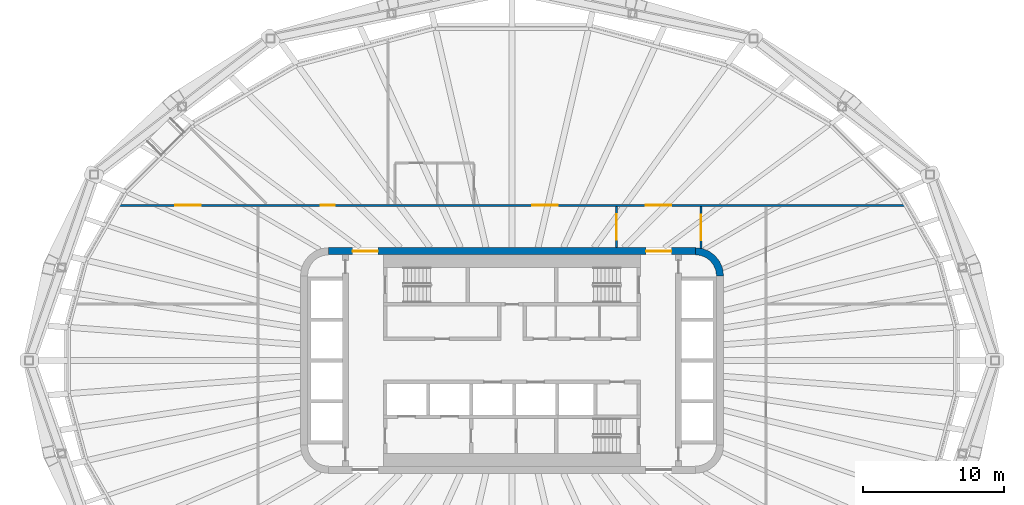
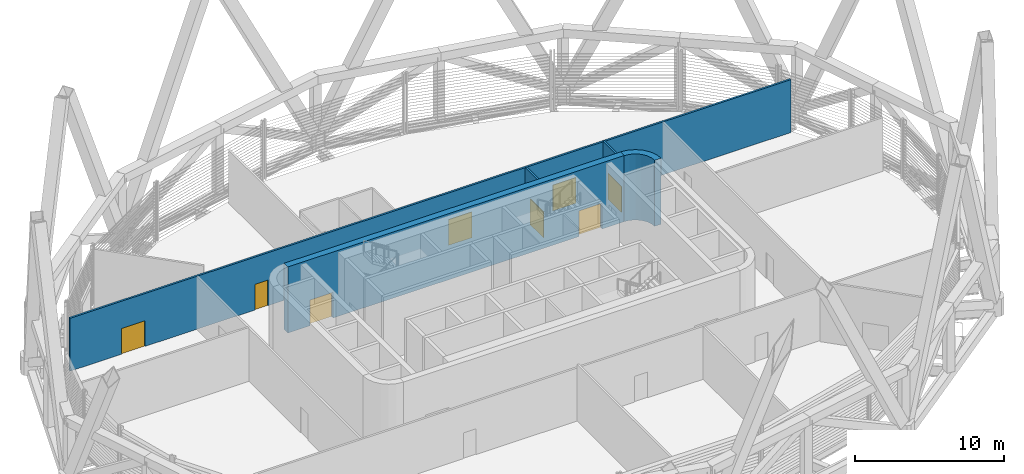
# One storey, part 8 of 18: 8 doors, 5 walls, 8 openings.
"""IFC4 building model written with IfcOpenShell, lengths in metres."""

from ifc_helpers import new_model, si_unit, direction, frame, frame_2d, origin, place, context, subcontext, project, spatial, polyline, rectangle, outline, extrude, material, layer, layer_set, type_object, element, fill, save


model = new_model("IFC4")

# Units and contexts
model_context = context("Model", 3, precision=1e-05, world=origin(), true_north=direction((0.0, 1.0)))
body_context = subcontext(model_context, "Body", "Model", "MODEL_VIEW")
ifc_project = project(units=[si_unit("LENGTHUNIT", "METRE"), si_unit("AREAUNIT", "SQUARE_METRE"), si_unit("VOLUMEUNIT", "CUBIC_METRE"), si_unit("PLANEANGLEUNIT", "RADIAN"), si_unit("MASSUNIT", "GRAM", prefix="KILO")], contexts=[model_context])

# Site, building, storey
site_placement = place(None, origin())
site = spatial("IfcSite", under=ifc_project, at=site_placement, CompositionType="ELEMENT")
building_placement = place(site_placement, origin())
building = spatial("IfcBuilding", under=site, at=building_placement, Name="Sahrelin Media Tower", CompositionType="ELEMENT")
storey_placement = place(building_placement, frame((0.0, 0.0, 148.199951171875)))
storey = spatial("IfcBuildingStorey", under=building, at=storey_placement, Name="L30", CompositionType="ELEMENT", Elevation=148.199951171875)

# Wall, openings, doors
ifc_material_1 = material(Name="Concrete C60/75", Category="concrete")
ifc_layer_1 = layer(ifc_material_1, 0.5)
ifc_layer_set_1 = layer_set([ifc_layer_1], Name="Core wall 500")
wall_type_1 = type_object("IfcWallType", Name="Core wall 500", PredefinedType="SHEAR", material=ifc_layer_set_1)
wall_1_placement = place(storey_placement, frame((-13.0, 7.75, 0.0), z_axis=(0.0, 0.0, 1.0), x_axis=(1.0, 0.0, 0.0)))
wall_1 = element("IfcWall", 1, at=wall_1_placement, inside=storey, type_object=wall_type_1, Name="Core wall N L30", PredefinedType="SHEAR", context=body_context, shape_type="SweptSolid", body=[
    extrude(rectangle(XDim=26.0, YDim=0.5, at=frame_2d((13.0, 0.0))), origin(), (0.0, 0.0, 1.0), 5.400146484375),
])
opening_1_placement = place(wall_1_placement, frame((1.699951171875, 0.0, 0.0)))
opening_1 = element("IfcOpeningElement", 2, at=opening_1_placement, cuts=wall_1, Name="Opening L30-D17", PredefinedType="OPENING", context=body_context, shape_type="SweptSolid", body=[
    extrude(rectangle(XDim=1.800048828125, YDim=2.10009765625, at=frame_2d((0.89990234375, 1.050048828125))), frame((0.0, 0.25, 0.0), z_axis=(0.0, -1.0, 0.0), x_axis=(1.0, 0.0, 0.0)), (0.0, 0.0, 1.0), 0.5),
])
opening_2_placement = place(wall_1_placement, frame((22.5, 0.0, 0.0)))
opening_2 = element("IfcOpeningElement", 3, at=opening_2_placement, cuts=wall_1, Name="Opening L30-D18", PredefinedType="OPENING", context=body_context, shape_type="SweptSolid", body=[
    extrude(rectangle(XDim=1.800048828125, YDim=2.10009765625, at=frame_2d((0.89990234375, 1.050048828125))), frame((0.0, 0.25, 0.0), z_axis=(0.0, -1.0, 0.0), x_axis=(1.0, 0.0, 0.0)), (0.0, 0.0, 1.0), 0.5),
])
ifc_material_2 = material(Name="Steel fire door leaf", Category="steel")
door_type_1 = type_object("IfcDoorType", Name="Lobby double door 1800 x 2100 EI 60", OperationType="DOUBLE_DOOR_SINGLE_SWING", PredefinedType="DOOR", material=ifc_material_2)
door_1_placement = place(opening_1_placement, origin())
door_1 = element("IfcDoor", 4, at=door_1_placement, inside=storey, type_object=door_type_1, Name="Lobby door", OperationType="DOUBLE_DOOR_SINGLE_SWING", OverallHeight=2.10009765625, OverallWidth=1.800048828125, PredefinedType="DOOR", context=body_context, shape_type="SweptSolid", body=[
    extrude(rectangle(XDim=1.800048828125, YDim=2.10009765625, at=frame_2d((0.89990234375, 1.050048828125))), frame((0.0, 0.02490234375, 0.0), z_axis=(0.0, -1.0, 0.0), x_axis=(1.0, 0.0, 0.0)), (0.0, 0.0, 1.0), 0.050048828125),
])
fill(opening_1, door_1)
door_2_placement = place(opening_2_placement, origin())
door_2 = element("IfcDoor", 5, at=door_2_placement, inside=storey, type_object=door_type_1, Name="Lobby door", OperationType="DOUBLE_DOOR_SINGLE_SWING", OverallHeight=2.10009765625, OverallWidth=1.800048828125, PredefinedType="DOOR", context=body_context, shape_type="SweptSolid", body=[
    extrude(rectangle(XDim=1.800048828125, YDim=2.10009765625, at=frame_2d((0.89990234375, 1.050048828125))), frame((0.0, 0.02490234375, 0.0), z_axis=(0.0, -1.0, 0.0), x_axis=(1.0, 0.0, 0.0)), (0.0, 0.0, 1.0), 0.050048828125),
])
fill(opening_2, door_2)

# Wall
wall_2_placement = place(storey_placement, origin())
element("IfcWall", 6, at=wall_2_placement, inside=storey, type_object=wall_type_1, Name="Core wall corner NE L30", PredefinedType="SHEAR", context=body_context, shape_type="SweptSolid", body=[
    extrude(outline(polyline([(13.0, 8.0), (13.0, 7.49560546875), (13.38720703125, 7.44482421875), (13.747802734375, 7.29541015625), (14.0576171875, 7.0576171875), (14.29541015625, 6.747802734375), (14.44482421875, 6.38720703125), (14.49560546875, 6.0), (15.0, 6.0), (14.931884765625, 6.517578125), (14.732177734375, 7.0), (14.414306640625, 7.414306640625), (14.0, 7.732177734375), (13.517578125, 7.931884765625), (13.0, 8.0)])), origin(), (0.0, 0.0, 1.0), 5.400146484375),
])

# Wall, opening, door
ifc_material_3 = material(Name="Fire-rated gypsum board partition")
ifc_layer_2 = layer(ifc_material_3, 0.14990234375)
ifc_layer_set_2 = layer_set([ifc_layer_2], Name="Fire-rated lobby wall 150")
wall_type_2 = type_object("IfcWallType", Name="Fire-rated lobby wall 150", PredefinedType="PARTITIONING", material=ifc_layer_set_2)
wall_3_placement = place(storey_placement, frame((7.39990234375, 8.0, 0.0), z_axis=(0.0, 0.0, 1.0), x_axis=(0.0, 1.0, 0.0)))
wall_3 = element("IfcWall", 7, at=wall_3_placement, inside=storey, type_object=wall_type_2, Name="Wall", PredefinedType="PARTITIONING", context=body_context, shape_type="SweptSolid", body=[
    extrude(rectangle(XDim=2.925048828125, YDim=0.14990234375, at=frame_2d((1.46240234375, 0.0))), origin(), (0.0, 0.0, 1.0), 4.3271484375),
])
opening_3_placement = place(wall_3_placement, frame((0.56201171875, 0.0, 0.0)))
opening_3 = element("IfcOpeningElement", 8, at=opening_3_placement, cuts=wall_3, Name="Opening L30-D29", PredefinedType="OPENING", context=body_context, shape_type="SweptSolid", body=[
    extrude(rectangle(XDim=1.800048828125, YDim=2.10009765625, at=frame_2d((0.89990234375, 1.050048828125))), frame((0.0, 0.074951171875, 0.0), z_axis=(0.0, -1.0, 0.0), x_axis=(1.0, 0.0, 0.0)), (0.0, 0.0, 1.0), 0.14990234375),
])
door_3_placement = place(opening_3_placement, origin())
door_3 = element("IfcDoor", 9, at=door_3_placement, inside=storey, type_object=door_type_1, Name="Lobby double door", OperationType="DOUBLE_DOOR_SINGLE_SWING", OverallHeight=2.10009765625, OverallWidth=1.800048828125, PredefinedType="DOOR", context=body_context, shape_type="SweptSolid", body=[
    extrude(rectangle(XDim=1.800048828125, YDim=2.10009765625, at=frame_2d((0.89990234375, 1.050048828125))), frame((0.0, 0.02490234375, 0.0), z_axis=(0.0, -1.0, 0.0), x_axis=(1.0, 0.0, 0.0)), (0.0, 0.0, 1.0), 0.050048828125),
])
fill(opening_3, door_3)

wall_4_placement = place(storey_placement, frame((13.39990234375, 7.947509765625, 0.0), z_axis=(0.0, 0.0, 1.0), x_axis=(0.0, 1.0, 0.0)))
wall_4 = element("IfcWall", 10, at=wall_4_placement, inside=storey, type_object=wall_type_2, Name="Wall", PredefinedType="PARTITIONING", context=body_context, shape_type="SweptSolid", body=[
    extrude(rectangle(XDim=2.9775390625, YDim=0.14990234375, at=frame_2d((1.48876953125, 0.0))), origin(), (0.0, 0.0, 1.0), 4.39501953125),
])
opening_4_placement = place(wall_4_placement, frame((0.589111328125, 0.0, 0.0)))
opening_4 = element("IfcOpeningElement", 11, at=opening_4_placement, cuts=wall_4, Name="Opening L30-D30", PredefinedType="OPENING", context=body_context, shape_type="SweptSolid", body=[
    extrude(rectangle(XDim=1.800048828125, YDim=2.10009765625, at=frame_2d((0.89990234375, 1.050048828125))), frame((0.0, 0.074951171875, 0.0), z_axis=(0.0, -1.0, 0.0), x_axis=(1.0, 0.0, 0.0)), (0.0, 0.0, 1.0), 0.14990234375),
])
door_4_placement = place(opening_4_placement, origin())
door_4 = element("IfcDoor", 12, at=door_4_placement, inside=storey, type_object=door_type_1, Name="Lobby double door", OperationType="DOUBLE_DOOR_SINGLE_SWING", OverallHeight=2.10009765625, OverallWidth=1.800048828125, PredefinedType="DOOR", context=body_context, shape_type="SweptSolid", body=[
    extrude(rectangle(XDim=1.800048828125, YDim=2.10009765625, at=frame_2d((0.89990234375, 1.050048828125))), frame((0.0, 0.02490234375, 0.0), z_axis=(0.0, -1.0, 0.0), x_axis=(1.0, 0.0, 0.0)), (0.0, 0.0, 1.0), 0.050048828125),
])
fill(opening_4, door_4)

# Wall, openings, doors
ifc_layer_3 = layer(ifc_material_3, 0.14990234375)
ifc_layer_set_3 = layer_set([ifc_layer_3], Name="Fire-rated partition 150")
wall_type_3 = type_object("IfcWallType", Name="Fire-rated partition 150", PredefinedType="PARTITIONING", material=ifc_layer_set_3)
wall_5_placement = place(storey_placement, frame((-27.858154296875, 11.0, 0.0), z_axis=(0.0, 0.0, 1.0), x_axis=(1.0, 0.0, 0.0)))
wall_5 = element("IfcWall", 13, at=wall_5_placement, inside=storey, type_object=wall_type_3, Name="Wall", PredefinedType="PARTITIONING", context=body_context, shape_type="SweptSolid", body=[
    extrude(rectangle(XDim=55.71630859375, YDim=0.14990234375, at=frame_2d((27.858154296875, 0.0))), origin(), (0.0, 0.0, 1.0), 4.3271484375),
])
opening_5_placement = place(wall_5_placement, frame((14.300048828125, 0.0, 0.0)))
opening_5 = element("IfcOpeningElement", 14, at=opening_5_placement, cuts=wall_5, Name="Opening L30-D21", PredefinedType="OPENING", context=body_context, shape_type="SweptSolid", body=[
    extrude(rectangle(XDim=1.0, YDim=2.10009765625, at=frame_2d((0.5, 1.050048828125))), frame((0.0, 0.074951171875, 0.0), z_axis=(0.0, -1.0, 0.0), x_axis=(1.0, 0.0, 0.0)), (0.0, 0.0, 1.0), 0.14990234375),
])
opening_6_placement = place(wall_5_placement, frame((37.35009765625, 0.0, 0.0)))
opening_6 = element("IfcOpeningElement", 15, at=opening_6_placement, cuts=wall_5, Name="Opening L30-D31", PredefinedType="OPENING", context=body_context, shape_type="SweptSolid", body=[
    extrude(rectangle(XDim=1.800048828125, YDim=2.10009765625, at=frame_2d((0.89990234375, 1.050048828125))), frame((0.0, 0.074951171875, 0.0), z_axis=(0.0, -1.0, 0.0), x_axis=(1.0, 0.0, 0.0)), (0.0, 0.0, 1.0), 0.14990234375),
])
opening_7_placement = place(wall_5_placement, frame((29.300048828125, 0.0, 0.0)))
opening_7 = element("IfcOpeningElement", 16, at=opening_7_placement, cuts=wall_5, Name="Opening L30-D32", PredefinedType="OPENING", context=body_context, shape_type="SweptSolid", body=[
    extrude(rectangle(XDim=1.800048828125, YDim=2.10009765625, at=frame_2d((0.89990234375, 1.050048828125))), frame((0.0, 0.074951171875, 0.0), z_axis=(0.0, -1.0, 0.0), x_axis=(1.0, 0.0, 0.0)), (0.0, 0.0, 1.0), 0.14990234375),
])
opening_8_placement = place(wall_5_placement, frame((4.0, 0.0, 0.0)))
opening_8 = element("IfcOpeningElement", 17, at=opening_8_placement, cuts=wall_5, Name="Opening L30-D35", PredefinedType="OPENING", context=body_context, shape_type="SweptSolid", body=[
    extrude(rectangle(XDim=1.800048828125, YDim=2.10009765625, at=frame_2d((0.89990234375, 1.050048828125))), frame((0.0, 0.074951171875, 0.0), z_axis=(0.0, -1.0, 0.0), x_axis=(1.0, 0.0, 0.0)), (0.0, 0.0, 1.0), 0.14990234375),
])
door_type_2 = type_object("IfcDoorType", Name="Fire door 1000 x 2100 EI 60", OperationType="NOTDEFINED", PredefinedType="DOOR", material=ifc_material_2)
door_5_placement = place(opening_5_placement, origin())
door_5 = element("IfcDoor", 18, at=door_5_placement, inside=storey, type_object=door_type_2, Name="Fire door", OperationType="SINGLE_SWING_LEFT", OverallHeight=2.10009765625, OverallWidth=1.0, PredefinedType="DOOR", context=body_context, shape_type="SweptSolid", body=[
    extrude(rectangle(XDim=1.0, YDim=2.10009765625, at=frame_2d((0.5, 1.050048828125))), frame((0.0, 0.02490234375, 0.0), z_axis=(0.0, -1.0, 0.0), x_axis=(1.0, 0.0, 0.0)), (0.0, 0.0, 1.0), 0.050048828125),
])
fill(opening_5, door_5)
door_6_placement = place(opening_6_placement, origin())
door_6 = element("IfcDoor", 19, at=door_6_placement, inside=storey, type_object=door_type_1, Name="Lobby double door", OperationType="DOUBLE_DOOR_SINGLE_SWING", OverallHeight=2.10009765625, OverallWidth=1.800048828125, PredefinedType="DOOR", context=body_context, shape_type="SweptSolid", body=[
    extrude(rectangle(XDim=1.800048828125, YDim=2.10009765625, at=frame_2d((0.89990234375, 1.050048828125))), frame((0.0, 0.02490234375, 0.0), z_axis=(0.0, -1.0, 0.0), x_axis=(1.0, 0.0, 0.0)), (0.0, 0.0, 1.0), 0.050048828125),
])
fill(opening_6, door_6)
door_type_3 = type_object("IfcDoorType", Name="Service double door 1800 x 2100 EI 60", OperationType="DOUBLE_DOOR_SINGLE_SWING", PredefinedType="DOOR", material=ifc_material_2)
door_7_placement = place(opening_7_placement, origin())
door_7 = element("IfcDoor", 20, at=door_7_placement, inside=storey, type_object=door_type_3, Name="Service double door", OperationType="DOUBLE_DOOR_SINGLE_SWING", OverallHeight=2.10009765625, OverallWidth=1.800048828125, PredefinedType="DOOR", context=body_context, shape_type="SweptSolid", body=[
    extrude(rectangle(XDim=1.800048828125, YDim=2.10009765625, at=frame_2d((0.89990234375, 1.050048828125))), frame((0.0, 0.02490234375, 0.0), z_axis=(0.0, -1.0, 0.0), x_axis=(1.0, 0.0, 0.0)), (0.0, 0.0, 1.0), 0.050048828125),
])
fill(opening_7, door_7)
door_8_placement = place(opening_8_placement, origin())
door_8 = element("IfcDoor", 21, at=door_8_placement, inside=storey, type_object=door_type_3, Name="Service double door", OperationType="DOUBLE_DOOR_SINGLE_SWING", OverallHeight=2.10009765625, OverallWidth=1.800048828125, PredefinedType="DOOR", context=body_context, shape_type="SweptSolid", body=[
    extrude(rectangle(XDim=1.800048828125, YDim=2.10009765625, at=frame_2d((0.89990234375, 1.050048828125))), frame((0.0, 0.02490234375, 0.0), z_axis=(0.0, -1.0, 0.0), x_axis=(1.0, 0.0, 0.0)), (0.0, 0.0, 1.0), 0.050048828125),
])
fill(opening_8, door_8)

save(model, "model.ifc")
